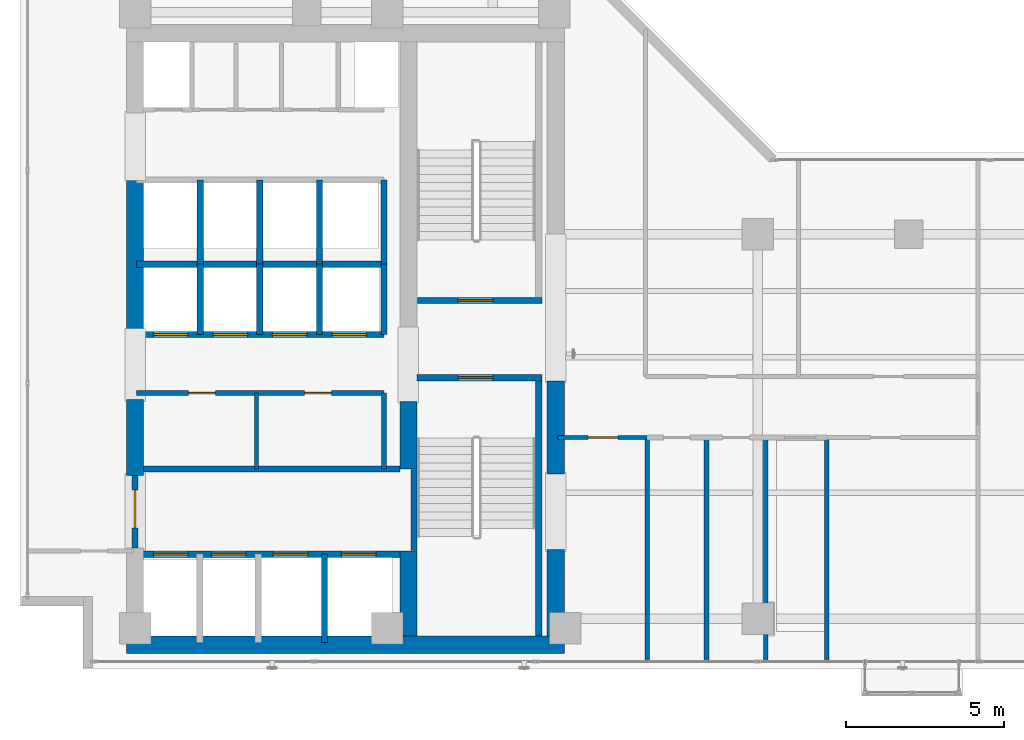
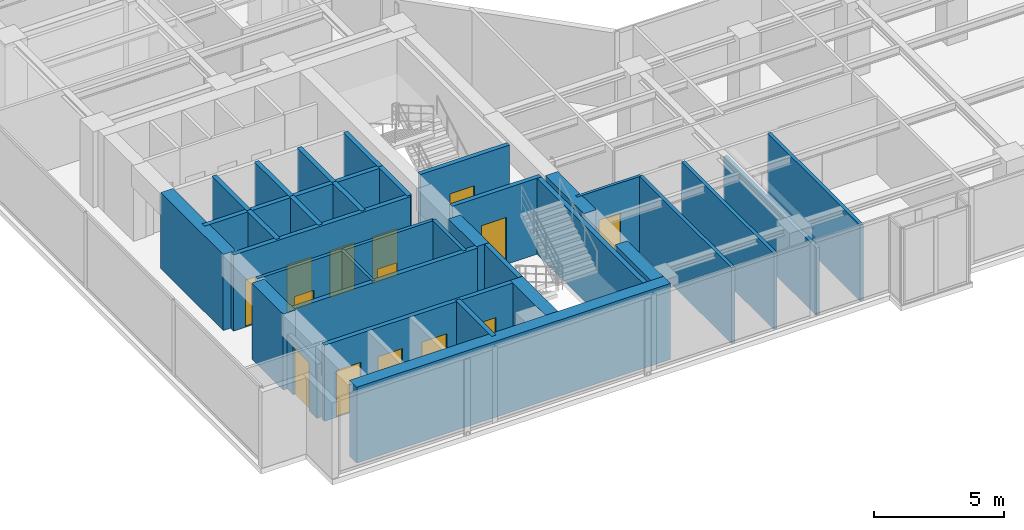
# One storey, part 17 of 25: 33 walls, 14 doors, 14 openings.
"""IFC4 building model written with IfcOpenShell, lengths in metres."""

from ifc_helpers import new_model, si_unit, direction, frame, frame_2d, origin, place, context, subcontext, project, spatial, rectangle, extrude, material, layer, layer_set, type_object, element, fill, save


model = new_model("IFC4")

# Units and contexts
model_context = context("Model", 3, precision=1e-05, world=origin(), true_north=direction((0.0, 1.0)))
body_context = subcontext(model_context, "Body", "Model", "MODEL_VIEW")
ifc_project = project(units=[si_unit("LENGTHUNIT", "METRE"), si_unit("AREAUNIT", "SQUARE_METRE"), si_unit("VOLUMEUNIT", "CUBIC_METRE"), si_unit("PLANEANGLEUNIT", "RADIAN"), si_unit("MASSUNIT", "GRAM", prefix="KILO")], contexts=[model_context])

# Site, building, storey
site_placement = place(None, origin())
site = spatial("IfcSite", under=ifc_project, at=site_placement, CompositionType="ELEMENT")
building_placement = place(site_placement, origin())
building = spatial("IfcBuilding", under=site, at=building_placement, Name="Kolvaren Waterfront Exchange", CompositionType="ELEMENT")
storey_placement = place(building_placement, frame((0.0, 0.0, 204.5)))
storey = spatial("IfcBuildingStorey", under=building, at=storey_placement, Name="L52", CompositionType="ELEMENT", Elevation=204.5)

# Wall, opening, door
ifc_material_1 = material(Name="Precast concrete C40/50", Category="concrete")
ifc_layer_1 = layer(ifc_material_1, 0.199951171875, Name="Precast concrete C40/50")
ifc_layer_set_1 = layer_set([ifc_layer_1], Name="Precast concrete C40/50")
wall_type_1 = type_object("IfcWallType", Name="ARC-FIRE-200", PredefinedType="PARTITIONING", material=ifc_layer_set_1)
wall_1_placement = place(storey_placement, frame((16.39990234375, 12.85009765625, 0.0), z_axis=(0.0, 0.0, 1.0), x_axis=(1.0, 0.0, 0.0)))
wall_1 = element("IfcWall", 1, at=wall_1_placement, inside=storey, type_object=wall_type_1, Name="L52 interior wall PW-L52-ST1-THROAT-S", PredefinedType="PARTITIONING", context=body_context, shape_type="SweptSolid", body=[
    extrude(rectangle(XDim=3.960205078125, YDim=0.199951171875, at=frame_2d((1.97998046875, 0.0))), origin(), (0.0, 0.0, 1.0), 3.56005859375),
])
opening_1_placement = place(wall_1_placement, frame((1.3037109375, 0.0, 0.0)))
opening_1 = element("IfcOpeningElement", 2, at=opening_1_placement, cuts=wall_1, Name="Opening FD2", PredefinedType="OPENING", context=body_context, shape_type="SweptSolid", body=[
    extrude(rectangle(XDim=1.10009765625, YDim=2.199951171875, at=frame_2d((0.550048828125, 1.10009765625))), frame((0.0, 0.10986328125, 0.0), z_axis=(0.0, -1.0, 0.0), x_axis=(1.0, 0.0, 0.0)), (0.0, 0.0, 1.0), 0.219970703125),
])
ifc_material_2 = material(Name="Pressed steel smoke-seal fire door", Category="steel")
door_type_1 = type_object("IfcDoorType", Name="ARC-FD-1100", OperationType="NOTDEFINED", PredefinedType="DOOR", material=ifc_material_2)
door_1_placement = place(opening_1_placement, frame((1.10009765625, 0.0, 0.0), z_axis=(0.0, 0.0, 1.0), x_axis=(-1.0, 0.0, 0.0)))
door_1 = element("IfcDoor", 3, at=door_1_placement, inside=storey, type_object=door_type_1, Name="L52 door DR-L52-ST1-IN (FD2)", OperationType="SINGLE_SWING_RIGHT", OverallHeight=2.199951171875, OverallWidth=1.10009765625, PredefinedType="DOOR", context=body_context, shape_type="SweptSolid", body=[
    extrude(rectangle(XDim=1.10009765625, YDim=2.199951171875, at=frame_2d((0.550048828125, 1.10009765625))), frame((0.0, 0.02490234375, 0.0), z_axis=(0.0, -1.0, 0.0), x_axis=(1.0, 0.0, 0.0)), (0.0, 0.0, 1.0), 0.050048828125),
])
fill(opening_1, door_1)

wall_2_placement = place(storey_placement, frame((16.409912109375, 15.300048828125, 0.0), z_axis=(0.0, 0.0, 1.0), x_axis=(1.0, 0.0, 0.0)))
wall_2 = element("IfcWall", 4, at=wall_2_placement, inside=storey, type_object=wall_type_1, Name="L52 interior wall PW-L52-ST2-THROAT-N", PredefinedType="PARTITIONING", context=body_context, shape_type="SweptSolid", body=[
    extrude(rectangle(XDim=3.9501953125, YDim=0.199951171875, at=frame_2d((1.97509765625, 0.0))), origin(), (0.0, 0.0, 1.0), 3.56005859375),
])
opening_2_placement = place(wall_2_placement, frame((1.293701171875, 0.0, 0.0)))
opening_2 = element("IfcOpeningElement", 5, at=opening_2_placement, cuts=wall_2, Name="Opening FD2", PredefinedType="OPENING", context=body_context, shape_type="SweptSolid", body=[
    extrude(rectangle(XDim=1.10009765625, YDim=2.199951171875, at=frame_2d((0.550048828125, 1.10009765625))), frame((0.0, 0.10986328125, 0.0), z_axis=(0.0, -1.0, 0.0), x_axis=(1.0, 0.0, 0.0)), (0.0, 0.0, 1.0), 0.219970703125),
])
door_2_placement = place(opening_2_placement, origin())
door_2 = element("IfcDoor", 6, at=door_2_placement, inside=storey, type_object=door_type_1, Name="L52 door DR-L52-ST2-IN (FD2)", OperationType="SINGLE_SWING_LEFT", OverallHeight=2.199951171875, OverallWidth=1.10009765625, PredefinedType="DOOR", context=body_context, shape_type="SweptSolid", body=[
    extrude(rectangle(XDim=1.10009765625, YDim=2.199951171875, at=frame_2d((0.550048828125, 1.10009765625))), frame((0.0, 0.02490234375, 0.0), z_axis=(0.0, -1.0, 0.0), x_axis=(1.0, 0.0, 0.0)), (0.0, 0.0, 1.0), 0.050048828125),
])
fill(opening_2, door_2)

# Wall
wall_3_placement = place(storey_placement, frame((7.5, 9.949951171875, 0.0), z_axis=(0.0, 0.0, 1.0), x_axis=(1.0, 0.0, 0.0)))
element("IfcWall", 7, at=wall_3_placement, inside=storey, type_object=wall_type_1, Name="L52 interior wall PW-L52-FF-N", PredefinedType="PARTITIONING", context=body_context, shape_type="SweptSolid", body=[
    extrude(rectangle(XDim=8.35009765625, YDim=0.199951171875, at=frame_2d((4.175048828125, 0.0))), origin(), (0.0, 0.0, 1.0), 3.56005859375),
])

# Wall, opening, door
wall_4_placement = place(storey_placement, frame((7.449951171875, 7.449951171875, 0.0), z_axis=(0.0, 0.0, 1.0), x_axis=(0.0, 1.0, 0.0)))
wall_4 = element("IfcWall", 8, at=wall_4_placement, inside=storey, type_object=wall_type_1, Name="L52 interior wall PW-L52-FF-W-DOOR", PredefinedType="PARTITIONING", context=body_context, shape_type="SweptSolid", body=[
    extrude(rectangle(XDim=2.300048828125, YDim=0.199951171875, at=frame_2d((1.14990234375, 0.0))), origin(), (0.0, 0.0, 1.0), 2.5400390625),
])
opening_3_placement = place(wall_4_placement, frame((0.63330078125, 0.0, 0.0)))
opening_3 = element("IfcOpeningElement", 9, at=opening_3_placement, cuts=wall_4, Name="Opening FD3", PredefinedType="OPENING", context=body_context, shape_type="SweptSolid", body=[
    extrude(rectangle(XDim=1.199951171875, YDim=2.25, at=frame_2d((0.60009765625, 1.125))), frame((0.0, 0.10986328125, 0.0), z_axis=(0.0, -1.0, 0.0), x_axis=(1.0, 0.0, 0.0)), (0.0, 0.0, 1.0), 0.219970703125),
])
ifc_material_3 = material(Name="Pressed steel fire door", Category="steel")
door_type_2 = type_object("IfcDoorType", Name="ARC-FD-1200", OperationType="NOTDEFINED", PredefinedType="DOOR", material=ifc_material_3)
door_3_placement = place(opening_3_placement, frame((1.199951171875, 0.0, 0.0), z_axis=(0.0, 0.0, 1.0), x_axis=(-1.0, 0.0, 0.0)))
door_3 = element("IfcDoor", 10, at=door_3_placement, inside=storey, type_object=door_type_2, Name="L52 door DR-L52-FF-OUT (FD3)", OperationType="SINGLE_SWING_RIGHT", OverallHeight=2.25, OverallWidth=1.199951171875, PredefinedType="DOOR", context=body_context, shape_type="SweptSolid", body=[
    extrude(rectangle(XDim=1.199951171875, YDim=2.25, at=frame_2d((0.60009765625, 1.125))), frame((0.0, 0.02490234375, 0.0), z_axis=(0.0, -1.0, 0.0), x_axis=(1.0, 0.0, 0.0)), (0.0, 0.0, 1.0), 0.050048828125),
])
fill(opening_3, door_3)

# Wall
ifc_material_4 = material(Name="Acoustic gypsum steel stud", Category="steel")
ifc_layer_2 = layer(ifc_material_4, 0.125, Name="Acoustic gypsum steel stud")
ifc_layer_set_2 = layer_set([ifc_layer_2], Name="Acoustic gypsum steel stud")
wall_type_2 = type_object("IfcWallType", Name="ARC-PART-125", PredefinedType="PARTITIONING", material=ifc_layer_set_2)
wall_5_placement = place(storey_placement, frame((11.300048828125, 9.949951171875, 0.0), z_axis=(0.0, 0.0, 1.0), x_axis=(0.0, 1.0, 0.0)))
element("IfcWall", 11, at=wall_5_placement, inside=storey, type_object=wall_type_2, Name="L52 interior wall PW-L52-REC-PL-MID", PredefinedType="PARTITIONING", context=body_context, shape_type="SweptSolid", body=[
    extrude(rectangle(XDim=2.41015625, YDim=0.125, at=frame_2d((1.205078125, 0.0))), origin(), (0.0, 0.0, 1.0), 3.56005859375),
])

# Wall, opening, door
wall_6_placement = place(storey_placement, frame((20.85009765625, 10.949951171875, 0.0), z_axis=(0.0, 0.0, 1.0), x_axis=(1.0, 0.0, 0.0)))
wall_6 = element("IfcWall", 12, at=wall_6_placement, inside=storey, type_object=wall_type_2, Name="L52 interior wall PW-L52-SWST3-N", PredefinedType="PARTITIONING", context=body_context, shape_type="SweptSolid", body=[
    extrude(rectangle(XDim=2.849853515625, YDim=0.125, at=frame_2d((1.4248046875, 0.0))), origin(), (0.0, 0.0, 1.0), 3.56005859375),
])
opening_4_placement = place(wall_6_placement, frame((0.971435546875, 0.0, 0.0)))
opening_4 = element("IfcOpeningElement", 13, at=opening_4_placement, cuts=wall_6, Name="Opening D02", PredefinedType="OPENING", context=body_context, shape_type="SweptSolid", body=[
    extrude(rectangle(XDim=0.949951171875, YDim=2.14990234375, at=frame_2d((0.47509765625, 1.074951171875))), frame((0.0, 0.072509765625, 0.0), z_axis=(0.0, -1.0, 0.0), x_axis=(1.0, 0.0, 0.0)), (0.0, 0.0, 1.0), 0.14501953125),
])
ifc_material_5 = material(Name="Oak veneer acoustic timber", Category="wood")
door_type_3 = type_object("IfcDoorType", Name="ARC-DR-950", OperationType="NOTDEFINED", PredefinedType="DOOR", material=ifc_material_5)
door_4_placement = place(opening_4_placement, origin())
door_4 = element("IfcDoor", 14, at=door_4_placement, inside=storey, type_object=door_type_3, Name="L52 door DR-L52-SWST3-D (D02)", OperationType="SINGLE_SWING_RIGHT", OverallHeight=2.14990234375, OverallWidth=0.949951171875, PredefinedType="DOOR", context=body_context, shape_type="SweptSolid", body=[
    extrude(rectangle(XDim=0.949951171875, YDim=2.14990234375, at=frame_2d((0.47509765625, 1.074951171875))), frame((0.0, 0.02490234375, 0.0), z_axis=(0.0, -1.0, 0.0), x_axis=(1.0, 0.0, 0.0)), (0.0, 0.0, 1.0), 0.050048828125),
])
fill(opening_4, door_4)

# Wall, openings, doors
ifc_material_6 = material(Name="Gypsum fireboard steel stud", Category="steel")
ifc_layer_3 = layer(ifc_material_6, 0.14990234375, Name="Gypsum fireboard steel stud")
ifc_layer_set_3 = layer_set([ifc_layer_3], Name="Gypsum fireboard steel stud")
wall_type_3 = type_object("IfcWallType", Name="ARC-PART-150", PredefinedType="PARTITIONING", material=ifc_layer_set_3)
wall_7_placement = place(storey_placement, frame((7.5, 12.360107421875, 0.0), z_axis=(0.0, 0.0, 1.0), x_axis=(1.0, 0.0, 0.0)))
wall_7 = element("IfcWall", 15, at=wall_7_placement, inside=storey, type_object=wall_type_3, Name="L52 interior wall PW-L52-REC-PL-N", PredefinedType="PARTITIONING", context=body_context, shape_type="SweptSolid", body=[
    extrude(rectangle(XDim=7.85009765625, YDim=0.14990234375, at=frame_2d((3.925048828125, 0.0))), origin(), (0.0, 0.0, 1.0), 3.56005859375),
])
opening_5_placement = place(wall_7_placement, frame((1.64990234375, 0.0, 0.0)))
opening_5 = element("IfcOpeningElement", 16, at=opening_5_placement, cuts=wall_7, Name="Opening D01", PredefinedType="OPENING", context=body_context, shape_type="SweptSolid", body=[
    extrude(rectangle(XDim=0.85009765625, YDim=2.14990234375, at=frame_2d((0.425048828125, 1.074951171875))), frame((0.0, 0.0849609375, 0.0), z_axis=(0.0, -1.0, 0.0), x_axis=(1.0, 0.0, 0.0)), (0.0, 0.0, 1.0), 0.169921875),
])
opening_6_placement = place(wall_7_placement, frame((5.329345703125, 0.0, 0.0)))
opening_6 = element("IfcOpeningElement", 17, at=opening_6_placement, cuts=wall_7, Name="Opening D01", PredefinedType="OPENING", context=body_context, shape_type="SweptSolid", body=[
    extrude(rectangle(XDim=0.85009765625, YDim=2.14990234375, at=frame_2d((0.425048828125, 1.074951171875))), frame((0.0, 0.0849609375, 0.0), z_axis=(0.0, -1.0, 0.0), x_axis=(1.0, 0.0, 0.0)), (0.0, 0.0, 1.0), 0.169921875),
])
ifc_material_7 = material(Name="Oak veneer timber leaf", Category="wood")
door_type_4 = type_object("IfcDoorType", Name="ARC-DR-900", OperationType="NOTDEFINED", PredefinedType="DOOR", material=ifc_material_7)
door_5_placement = place(opening_5_placement, origin())
door_5 = element("IfcDoor", 18, at=door_5_placement, inside=storey, type_object=door_type_4, Name="L52 door DR-L52-REC-PL-D1 (D01)", OperationType="SINGLE_SWING_LEFT", OverallHeight=2.14990234375, OverallWidth=0.85009765625, PredefinedType="DOOR", context=body_context, shape_type="SweptSolid", body=[
    extrude(rectangle(XDim=0.85009765625, YDim=2.14990234375, at=frame_2d((0.425048828125, 1.074951171875))), frame((0.0, 0.02490234375, 0.0), z_axis=(0.0, -1.0, 0.0), x_axis=(1.0, 0.0, 0.0)), (0.0, 0.0, 1.0), 0.050048828125),
])
fill(opening_5, door_5)
door_6_placement = place(opening_6_placement, origin())
door_6 = element("IfcDoor", 19, at=door_6_placement, inside=storey, type_object=door_type_4, Name="L52 door DR-L52-REC-PL-D2 (D01)", OperationType="SINGLE_SWING_RIGHT", OverallHeight=2.14990234375, OverallWidth=0.85009765625, PredefinedType="DOOR", context=body_context, shape_type="SweptSolid", body=[
    extrude(rectangle(XDim=0.85009765625, YDim=2.14990234375, at=frame_2d((0.425048828125, 1.074951171875))), frame((0.0, 0.02490234375, 0.0), z_axis=(0.0, -1.0, 0.0), x_axis=(1.0, 0.0, 0.0)), (0.0, 0.0, 1.0), 0.050048828125),
])
fill(opening_6, door_6)

# Walls
wall_8_placement = place(storey_placement, frame((15.35009765625, 9.949951171875, 0.0), z_axis=(0.0, 0.0, 1.0), x_axis=(0.0, 1.0, 0.0)))
element("IfcWall", 20, at=wall_8_placement, inside=storey, type_object=wall_type_3, Name="L52 interior wall PW-L52-REC-PL-E", PredefinedType="PARTITIONING", context=body_context, shape_type="SweptSolid", body=[
    extrude(rectangle(XDim=2.41015625, YDim=0.14990234375, at=frame_2d((1.205078125, 0.0))), origin(), (0.0, 0.0, 1.0), 3.56005859375),
])
ifc_material_8 = material(Name="Moisture-resistant gypsum stud")
ifc_layer_4 = layer(ifc_material_8, 0.14990234375, Name="Moisture-resistant gypsum stud")
ifc_layer_set_4 = layer_set([ifc_layer_4], Name="Moisture-resistant gypsum stud")
wall_type_4 = type_object("IfcWallType", Name="ARC-PLUMB-150", PredefinedType="PLUMBINGWALL", material=ifc_layer_set_4)
for number, where, z_axis, x_axis, name in (
    (21, (23.699951171875, 3.840087890625, 0.0), (0.0, 0.0, 1.0), (0.0, 1.0, 0.0), "L52 interior wall PW-L52-WC-0"),
    (22, (25.580078125, 3.840087890625, 0.0), (0.0, 0.0, 1.0), (0.0, 1.0, 0.0), "L52 interior wall PW-L52-WC-1"),
):
    element("IfcWall", number, at=place(storey_placement, frame(where, z_axis=z_axis, x_axis=x_axis)), inside=storey, type_object=wall_type_4, Name=name, PredefinedType="PLUMBINGWALL", context=body_context, shape_type="SweptSolid", body=[
        extrude(rectangle(XDim=7.10986328125, YDim=0.14990234375, at=frame_2d((3.554931640625, 0.0))), origin(), (0.0, 0.0, 1.0), 3.56005859375),
    ])
wall_9_placement = place(storey_placement, frame((27.4599609375, 3.840087890625, 0.0), z_axis=(0.0, 0.0, 1.0), x_axis=(0.0, 1.0, 0.0)))
element("IfcWall", 23, at=wall_9_placement, inside=storey, type_object=wall_type_4, Name="L52 interior wall PW-L52-WC-2", PredefinedType="PLUMBINGWALL", context=body_context, shape_type="SweptSolid", body=[
    extrude(rectangle(XDim=7.10986328125, YDim=0.14990234375, at=frame_2d((3.554931640625, 0.0))), origin(), (0.0, 0.0, 1.0), 3.159912109375),
])
wall_10_placement = place(storey_placement, frame((29.39990234375, 3.840087890625, 0.0), z_axis=(0.0, 0.0, 1.0), x_axis=(0.0, 1.0, 0.0)))
element("IfcWall", 24, at=wall_10_placement, inside=storey, type_object=wall_type_4, Name="L52 interior wall PW-L52-WC-3", PredefinedType="PLUMBINGWALL", context=body_context, shape_type="SweptSolid", body=[
    extrude(rectangle(XDim=7.10986328125, YDim=0.14990234375, at=frame_2d((3.554931640625, 0.0))), origin(), (0.0, 0.0, 1.0), 3.56005859375),
])
ifc_material_9 = material(Name="Concrete C40/50", Category="concrete")
ifc_layer_5 = layer(ifc_material_9, 0.199951171875, Name="Concrete C40/50")
ifc_layer_set_5 = layer_set([ifc_layer_5], Name="Concrete C40/50")
wall_type_5 = type_object("IfcWallType", Name="ARC-SHAFT-200", PredefinedType="PARTITIONING", material=ifc_layer_set_5)
wall_11_placement = place(storey_placement, frame((16.300048828125, 7.360107421875, 0.0), z_axis=(0.0, 0.0, 1.0), x_axis=(0.0, 1.0, 0.0)))
element("IfcWall", 25, at=wall_11_placement, inside=storey, type_object=wall_type_5, Name="L52 structural stairwell wall PW-L52-ST1-W", PredefinedType="SHEAR", context=body_context, shape_type="SweptSolid", body=[
    extrude(rectangle(XDim=2.579833984375, YDim=0.199951171875, at=frame_2d((1.2900390625, 0.0))), origin(), (0.0, 0.0, 1.0), 3.56005859375),
])
wall_12_placement = place(storey_placement, frame((20.260009765625, 4.659912109375, 0.0), z_axis=(0.0, 0.0, 1.0), x_axis=(0.0, 1.0, 0.0)))
element("IfcWall", 26, at=wall_12_placement, inside=storey, type_object=wall_type_5, Name="L52 structural stairwell wall PW-L52-ST1-E", PredefinedType="SHEAR", context=body_context, shape_type="SweptSolid", body=[
    extrude(rectangle(XDim=8.090087890625, YDim=0.199951171875, at=frame_2d((4.044921875, 0.0))), origin(), (0.0, 0.0, 1.0), 3.56005859375),
])

# Wall, openings, doors
wall_13_placement = place(storey_placement, frame((7.5, 7.25, 0.0), z_axis=(0.0, 0.0, 1.0), x_axis=(1.0, 0.0, 0.0)))
wall_13 = element("IfcWall", 27, at=wall_13_placement, inside=storey, type_object=wall_type_5, Name="L52 interior wall PW-L52-FF-S", PredefinedType="PARTITIONING", context=body_context, shape_type="SweptSolid", body=[
    extrude(rectangle(XDim=8.35009765625, YDim=0.199951171875, at=frame_2d((4.175048828125, 0.0))), origin(), (0.0, 0.0, 1.0), 3.56005859375),
])
opening_7_placement = place(wall_13_placement, frame((0.530029296875, 0.0, 0.0)))
opening_7 = element("IfcOpeningElement", 28, at=opening_7_placement, cuts=wall_13, Name="Opening LD1", PredefinedType="OPENING", context=body_context, shape_type="SweptSolid", body=[
    extrude(rectangle(XDim=1.10009765625, YDim=2.199951171875, at=frame_2d((0.550048828125, 1.10009765625))), frame((0.0, 0.10986328125, 0.0), z_axis=(0.0, -1.0, 0.0), x_axis=(1.0, 0.0, 0.0)), (0.0, 0.0, 1.0), 0.219970703125),
])
opening_8_placement = place(wall_13_placement, frame((2.3701171875, 0.0, 0.0)))
opening_8 = element("IfcOpeningElement", 29, at=opening_8_placement, cuts=wall_13, Name="Opening LD1", PredefinedType="OPENING", context=body_context, shape_type="SweptSolid", body=[
    extrude(rectangle(XDim=1.10009765625, YDim=2.199951171875, at=frame_2d((0.550048828125, 1.10009765625))), frame((0.0, 0.10986328125, 0.0), z_axis=(0.0, -1.0, 0.0), x_axis=(1.0, 0.0, 0.0)), (0.0, 0.0, 1.0), 0.219970703125),
])
opening_9_placement = place(wall_13_placement, frame((4.330078125, 0.0, 0.0)))
opening_9 = element("IfcOpeningElement", 30, at=opening_9_placement, cuts=wall_13, Name="Opening LD1", PredefinedType="OPENING", context=body_context, shape_type="SweptSolid", body=[
    extrude(rectangle(XDim=1.10009765625, YDim=2.199951171875, at=frame_2d((0.550048828125, 1.10009765625))), frame((0.0, 0.10986328125, 0.0), z_axis=(0.0, -1.0, 0.0), x_axis=(1.0, 0.0, 0.0)), (0.0, 0.0, 1.0), 0.219970703125),
])
opening_10_placement = place(wall_13_placement, frame((6.5, 0.0, 0.0)))
opening_10 = element("IfcOpeningElement", 31, at=opening_10_placement, cuts=wall_13, Name="Opening LD1", PredefinedType="OPENING", context=body_context, shape_type="SweptSolid", body=[
    extrude(rectangle(XDim=1.10009765625, YDim=2.199951171875, at=frame_2d((0.550048828125, 1.10009765625))), frame((0.0, 0.10986328125, 0.0), z_axis=(0.0, -1.0, 0.0), x_axis=(1.0, 0.0, 0.0)), (0.0, 0.0, 1.0), 0.219970703125),
])
ifc_material_10 = material(Name="Stainless steel sliding landing door", Category="steel")
door_type_5 = type_object("IfcDoorType", Name="ARC-LD-FF", OperationType="SLIDING_TO_LEFT", PredefinedType="DOOR", material=ifc_material_10)
door_7_placement = place(opening_7_placement, origin())
door_7 = element("IfcDoor", 32, at=door_7_placement, inside=storey, type_object=door_type_5, Name="L52 door LD-L52-FFL1 (LD1)", OperationType="SLIDING_TO_LEFT", OverallHeight=2.199951171875, OverallWidth=1.10009765625, PredefinedType="DOOR", context=body_context, shape_type="SweptSolid", body=[
    extrude(rectangle(XDim=1.10009765625, YDim=2.199951171875, at=frame_2d((0.550048828125, 1.10009765625))), frame((0.0, 0.02490234375, 0.0), z_axis=(0.0, -1.0, 0.0), x_axis=(1.0, 0.0, 0.0)), (0.0, 0.0, 1.0), 0.050048828125),
])
fill(opening_7, door_7)
door_8_placement = place(opening_8_placement, origin())
door_8 = element("IfcDoor", 33, at=door_8_placement, inside=storey, type_object=door_type_5, Name="L52 door LD-L52-FFL2 (LD1)", OperationType="SLIDING_TO_LEFT", OverallHeight=2.199951171875, OverallWidth=1.10009765625, PredefinedType="DOOR", context=body_context, shape_type="SweptSolid", body=[
    extrude(rectangle(XDim=1.10009765625, YDim=2.199951171875, at=frame_2d((0.550048828125, 1.10009765625))), frame((0.0, 0.02490234375, 0.0), z_axis=(0.0, -1.0, 0.0), x_axis=(1.0, 0.0, 0.0)), (0.0, 0.0, 1.0), 0.050048828125),
])
fill(opening_8, door_8)
door_9_placement = place(opening_9_placement, origin())
door_9 = element("IfcDoor", 34, at=door_9_placement, inside=storey, type_object=door_type_5, Name="L52 door LD-L52-GL1 (LD1)", OperationType="SLIDING_TO_LEFT", OverallHeight=2.199951171875, OverallWidth=1.10009765625, PredefinedType="DOOR", context=body_context, shape_type="SweptSolid", body=[
    extrude(rectangle(XDim=1.10009765625, YDim=2.199951171875, at=frame_2d((0.550048828125, 1.10009765625))), frame((0.0, 0.02490234375, 0.0), z_axis=(0.0, -1.0, 0.0), x_axis=(1.0, 0.0, 0.0)), (0.0, 0.0, 1.0), 0.050048828125),
])
fill(opening_9, door_9)
door_10_placement = place(opening_10_placement, origin())
door_10 = element("IfcDoor", 35, at=door_10_placement, inside=storey, type_object=door_type_5, Name="L52 door LD-L52-GL2 (LD1)", OperationType="SLIDING_TO_LEFT", OverallHeight=2.199951171875, OverallWidth=1.10009765625, PredefinedType="DOOR", context=body_context, shape_type="SweptSolid", body=[
    extrude(rectangle(XDim=1.10009765625, YDim=2.199951171875, at=frame_2d((0.550048828125, 1.10009765625))), frame((0.0, 0.02490234375, 0.0), z_axis=(0.0, -1.0, 0.0), x_axis=(1.0, 0.0, 0.0)), (0.0, 0.0, 1.0), 0.050048828125),
])
fill(opening_10, door_10)

# Wall
wall_14_placement = place(storey_placement, frame((13.4599609375, 4.449951171875, 0.0), z_axis=(0.0, 0.0, 1.0), x_axis=(0.0, 1.0, 0.0)))
element("IfcWall", 36, at=wall_14_placement, inside=storey, type_object=wall_type_5, Name="L52 interior wall PW-L52-SH1-DIV-134", PredefinedType="PARTITIONING", context=body_context, shape_type="SweptSolid", body=[
    extrude(rectangle(XDim=2.800048828125, YDim=0.199951171875, at=frame_2d((1.39990234375, 0.0))), origin(), (0.0, 0.0, 1.0), 3.56005859375),
])

# Wall, openings, doors
wall_15_placement = place(storey_placement, frame((7.5, 14.219970703125, 0.0), z_axis=(0.0, 0.0, 1.0), x_axis=(1.0, 0.0, 0.0)))
wall_15 = element("IfcWall", 37, at=wall_15_placement, inside=storey, type_object=wall_type_5, Name="L52 interior wall PW-L52-PM-S", PredefinedType="PARTITIONING", context=body_context, shape_type="SweptSolid", body=[
    extrude(rectangle(XDim=7.85009765625, YDim=0.199951171875, at=frame_2d((3.925048828125, 0.0))), origin(), (0.0, 0.0, 1.0), 3.56005859375),
])
opening_11_placement = place(wall_15_placement, frame((0.530029296875, 0.0, 0.0)))
opening_11 = element("IfcOpeningElement", 38, at=opening_11_placement, cuts=wall_15, Name="Opening LD2", PredefinedType="OPENING", context=body_context, shape_type="SweptSolid", body=[
    extrude(rectangle(XDim=1.10009765625, YDim=2.199951171875, at=frame_2d((0.550048828125, 1.10009765625))), frame((0.0, 0.10986328125, 0.0), z_axis=(0.0, -1.0, 0.0), x_axis=(1.0, 0.0, 0.0)), (0.0, 0.0, 1.0), 0.219970703125),
])
opening_12_placement = place(wall_15_placement, frame((2.419921875, 0.0, 0.0)))
opening_12 = element("IfcOpeningElement", 39, at=opening_12_placement, cuts=wall_15, Name="Opening LD2", PredefinedType="OPENING", context=body_context, shape_type="SweptSolid", body=[
    extrude(rectangle(XDim=1.10009765625, YDim=2.199951171875, at=frame_2d((0.550048828125, 1.10009765625))), frame((0.0, 0.10986328125, 0.0), z_axis=(0.0, -1.0, 0.0), x_axis=(1.0, 0.0, 0.0)), (0.0, 0.0, 1.0), 0.219970703125),
])
opening_13_placement = place(wall_15_placement, frame((4.31005859375, 0.0, 0.0)))
opening_13 = element("IfcOpeningElement", 40, at=opening_13_placement, cuts=wall_15, Name="Opening LD2", PredefinedType="OPENING", context=body_context, shape_type="SweptSolid", body=[
    extrude(rectangle(XDim=1.10009765625, YDim=2.199951171875, at=frame_2d((0.550048828125, 1.10009765625))), frame((0.0, 0.10986328125, 0.0), z_axis=(0.0, -1.0, 0.0), x_axis=(1.0, 0.0, 0.0)), (0.0, 0.0, 1.0), 0.219970703125),
])
opening_14_placement = place(wall_15_placement, frame((6.199951171875, 0.0, 0.0)))
opening_14 = element("IfcOpeningElement", 41, at=opening_14_placement, cuts=wall_15, Name="Opening LD2", PredefinedType="OPENING", context=body_context, shape_type="SweptSolid", body=[
    extrude(rectangle(XDim=1.10009765625, YDim=2.199951171875, at=frame_2d((0.550048828125, 1.10009765625))), frame((0.0, 0.10986328125, 0.0), z_axis=(0.0, -1.0, 0.0), x_axis=(1.0, 0.0, 0.0)), (0.0, 0.0, 1.0), 0.219970703125),
])
ifc_material_11 = material(Name="Brushed bronze sliding landing door", Category="aluminium")
door_type_6 = type_object("IfcDoorType", Name="ARC-LD-PAX", OperationType="SLIDING_TO_LEFT", PredefinedType="DOOR", material=ifc_material_11)
door_11_placement = place(opening_11_placement, frame((1.10009765625, 0.0, 0.0), z_axis=(0.0, 0.0, 1.0), x_axis=(-1.0, 0.0, 0.0)))
door_11 = element("IfcDoor", 42, at=door_11_placement, inside=storey, type_object=door_type_6, Name="L52 door LD-L52-PM1 (LD2)", OperationType="SLIDING_TO_LEFT", OverallHeight=2.199951171875, OverallWidth=1.10009765625, PredefinedType="DOOR", context=body_context, shape_type="SweptSolid", body=[
    extrude(rectangle(XDim=1.10009765625, YDim=2.199951171875, at=frame_2d((0.550048828125, 1.10009765625))), frame((0.0, 0.02490234375, 0.0), z_axis=(0.0, -1.0, 0.0), x_axis=(1.0, 0.0, 0.0)), (0.0, 0.0, 1.0), 0.050048828125),
])
fill(opening_11, door_11)
door_12_placement = place(opening_12_placement, frame((1.10009765625, 0.0, 0.0), z_axis=(0.0, 0.0, 1.0), x_axis=(-1.0, 0.0, 0.0)))
door_12 = element("IfcDoor", 43, at=door_12_placement, inside=storey, type_object=door_type_6, Name="L52 door LD-L52-PM2 (LD2)", OperationType="SLIDING_TO_LEFT", OverallHeight=2.199951171875, OverallWidth=1.10009765625, PredefinedType="DOOR", context=body_context, shape_type="SweptSolid", body=[
    extrude(rectangle(XDim=1.10009765625, YDim=2.199951171875, at=frame_2d((0.550048828125, 1.10009765625))), frame((0.0, 0.02490234375, 0.0), z_axis=(0.0, -1.0, 0.0), x_axis=(1.0, 0.0, 0.0)), (0.0, 0.0, 1.0), 0.050048828125),
])
fill(opening_12, door_12)
door_13_placement = place(opening_13_placement, frame((1.10009765625, 0.0, 0.0), z_axis=(0.0, 0.0, 1.0), x_axis=(-1.0, 0.0, 0.0)))
door_13 = element("IfcDoor", 44, at=door_13_placement, inside=storey, type_object=door_type_6, Name="L52 door LD-L52-PM3 (LD2)", OperationType="SLIDING_TO_LEFT", OverallHeight=2.199951171875, OverallWidth=1.10009765625, PredefinedType="DOOR", context=body_context, shape_type="SweptSolid", body=[
    extrude(rectangle(XDim=1.10009765625, YDim=2.199951171875, at=frame_2d((0.550048828125, 1.10009765625))), frame((0.0, 0.02490234375, 0.0), z_axis=(0.0, -1.0, 0.0), x_axis=(1.0, 0.0, 0.0)), (0.0, 0.0, 1.0), 0.050048828125),
])
fill(opening_13, door_13)
door_14_placement = place(opening_14_placement, frame((1.10009765625, 0.0, 0.0), z_axis=(0.0, 0.0, 1.0), x_axis=(-1.0, 0.0, 0.0)))
door_14 = element("IfcDoor", 45, at=door_14_placement, inside=storey, type_object=door_type_6, Name="L52 door LD-L52-PM4 (LD2)", OperationType="SLIDING_TO_LEFT", OverallHeight=2.199951171875, OverallWidth=1.10009765625, PredefinedType="DOOR", context=body_context, shape_type="SweptSolid", body=[
    extrude(rectangle(XDim=1.10009765625, YDim=2.199951171875, at=frame_2d((0.550048828125, 1.10009765625))), frame((0.0, 0.02490234375, 0.0), z_axis=(0.0, -1.0, 0.0), x_axis=(1.0, 0.0, 0.0)), (0.0, 0.0, 1.0), 0.050048828125),
])
fill(opening_14, door_14)

# Walls
wall_16_placement = place(storey_placement, frame((7.5, 16.449951171875, 0.0), z_axis=(0.0, 0.0, 1.0), x_axis=(1.0, 0.0, 0.0)))
element("IfcWall", 46, at=wall_16_placement, inside=storey, type_object=wall_type_5, Name="L52 interior wall PW-L52-PM-N", PredefinedType="PARTITIONING", context=body_context, shape_type="SweptSolid", body=[
    extrude(rectangle(XDim=7.85009765625, YDim=0.199951171875, at=frame_2d((3.925048828125, 0.0))), origin(), (0.0, 0.0, 1.0), 3.56005859375),
])
for number, where, z_axis, x_axis, name in (
    (47, (15.35009765625, 14.219970703125, 0.0), (0.0, 0.0, 1.0), (0.0, 1.0, 0.0), "L52 interior wall PW-L52-PM-E"),
    (48, (9.52001953125, 14.219970703125, 0.0), (0.0, 0.0, 1.0), (0.0, 1.0, 0.0), "L52 interior wall PW-L52-SH3-DIV-95"),
    (49, (11.409912109375, 14.219970703125, 0.0), (0.0, 0.0, 1.0), (0.0, 1.0, 0.0), "L52 interior wall PW-L52-SH3-DIV-114"),
    (50, (13.300048828125, 14.219970703125, 0.0), (0.0, 0.0, 1.0), (0.0, 1.0, 0.0), "L52 interior wall PW-L52-SH3-DIV-133"),
):
    element("IfcWall", number, at=place(storey_placement, frame(where, z_axis=z_axis, x_axis=x_axis)), inside=storey, type_object=wall_type_5, Name=name, PredefinedType="PARTITIONING", context=body_context, shape_type="SweptSolid", body=[
        extrude(rectangle(XDim=2.22998046875, YDim=0.199951171875, at=frame_2d((1.114990234375, 0.0))), origin(), (0.0, 0.0, 1.0), 3.56005859375),
    ])
for number, where, z_axis, x_axis, name in (
    (51, (15.35009765625, 16.449951171875, 0.0), (0.0, 0.0, 1.0), (0.0, 1.0, 0.0), "L52 interior wall PW-L52-PH-E"),
    (52, (9.52001953125, 16.449951171875, 0.0), (0.0, 0.0, 1.0), (0.0, 1.0, 0.0), "L52 interior wall PW-L52-SH4-DIV-95"),
    (53, (11.409912109375, 16.449951171875, 0.0), (0.0, 0.0, 1.0), (0.0, 1.0, 0.0), "L52 interior wall PW-L52-SH4-DIV-114"),
    (54, (13.300048828125, 16.449951171875, 0.0), (0.0, 0.0, 1.0), (0.0, 1.0, 0.0), "L52 interior wall PW-L52-SH4-DIV-133"),
):
    element("IfcWall", number, at=place(storey_placement, frame(where, z_axis=z_axis, x_axis=x_axis)), inside=storey, type_object=wall_type_5, Name=name, PredefinedType="PARTITIONING", context=body_context, shape_type="SweptSolid", body=[
        extrude(rectangle(XDim=2.670166015625, YDim=0.199951171875, at=frame_2d((1.3349609375, 0.0))), origin(), (0.0, 0.0, 1.0), 3.56005859375),
    ])
ifc_material_12 = material(Name="Concrete C50/60", Category="concrete")
ifc_layer_6 = layer(ifc_material_12, 0.550048828125, Name="Concrete C50/60")
ifc_layer_set_6 = layer_set([ifc_layer_6], Name="Concrete C50/60")
wall_type_6 = type_object("IfcWallType", Name="STR-CWALL-550", PredefinedType="SHEAR", material=ifc_layer_set_6)
wall_17_placement = place(storey_placement, frame((7.175048828125, 4.375, 0.0), z_axis=(0.0, 0.0, 1.0), x_axis=(1.0, 0.0, 0.0)))
element("IfcWall", 55, at=wall_17_placement, inside=storey, type_object=wall_type_6, Name="L52 rear-core shear wall S", PredefinedType="SHEAR", context=body_context, shape_type="SweptSolid", body=[
    extrude(rectangle(XDim=13.89990234375, YDim=0.550048828125, at=frame_2d((6.949951171875, 0.0))), origin(), (0.0, 0.0, 1.0), 3.56005859375),
])
wall_18_placement = place(storey_placement, frame((7.449951171875, 9.75, 0.0), z_axis=(0.0, 0.0, 1.0), x_axis=(0.0, 1.0, 0.0)))
element("IfcWall", 56, at=wall_18_placement, inside=storey, type_object=wall_type_6, Name="L52 rear-core shear wall W2A", PredefinedType="SHEAR", context=body_context, shape_type="SweptSolid", body=[
    extrude(rectangle(XDim=2.39990234375, YDim=0.550048828125, at=frame_2d((1.199951171875, 0.0))), origin(), (0.0, 0.0, 1.0), 3.56005859375),
])
wall_19_placement = place(storey_placement, frame((7.449951171875, 14.35009765625, 0.0), z_axis=(0.0, 0.0, 1.0), x_axis=(0.0, 1.0, 0.0)))
element("IfcWall", 57, at=wall_19_placement, inside=storey, type_object=wall_type_6, Name="L52 rear-core shear wall W2B", PredefinedType="SHEAR", context=body_context, shape_type="SweptSolid", body=[
    extrude(rectangle(XDim=4.809814453125, YDim=0.550048828125, at=frame_2d((2.40478515625, 0.0))), origin(), (0.0, 0.0, 1.0), 3.56005859375),
])
wall_20_placement = place(storey_placement, frame((20.800048828125, 4.64990234375, 0.0), z_axis=(0.0, 0.0, 1.0), x_axis=(0.0, 1.0, 0.0)))
element("IfcWall", 58, at=wall_20_placement, inside=storey, type_object=wall_type_6, Name="L52 rear-core shear wall E1", PredefinedType="SHEAR", context=body_context, shape_type="SweptSolid", body=[
    extrude(rectangle(XDim=2.75, YDim=0.550048828125, at=frame_2d((1.375, 0.0))), origin(), (0.0, 0.0, 1.0), 3.56005859375),
])
wall_21_placement = place(storey_placement, frame((20.800048828125, 9.800048828125, 0.0), z_axis=(0.0, 0.0, 1.0), x_axis=(0.0, 1.0, 0.0)))
element("IfcWall", 59, at=wall_21_placement, inside=storey, type_object=wall_type_6, Name="L52 rear-core shear wall E2", PredefinedType="SHEAR", context=body_context, shape_type="SweptSolid", body=[
    extrude(rectangle(XDim=2.949951171875, YDim=0.550048828125, at=frame_2d((1.47509765625, 0.0))), origin(), (0.0, 0.0, 1.0), 3.56005859375),
])
wall_22_placement = place(storey_placement, frame((16.125, 4.64990234375, 0.0), z_axis=(0.0, 0.0, 1.0), x_axis=(0.0, 1.0, 0.0)))
element("IfcWall", 60, at=wall_22_placement, inside=storey, type_object=wall_type_6, Name="L52 rear-core shear wall M1", PredefinedType="SHEAR", context=body_context, shape_type="SweptSolid", body=[
    extrude(rectangle(XDim=2.7001953125, YDim=0.550048828125, at=frame_2d((1.35009765625, 0.0))), origin(), (0.0, 0.0, 1.0), 3.56005859375),
])
wall_23_placement = place(storey_placement, frame((16.125, 9.949951171875, 0.0), z_axis=(0.0, 0.0, 1.0), x_axis=(0.0, 1.0, 0.0)))
element("IfcWall", 61, at=wall_23_placement, inside=storey, type_object=wall_type_6, Name="L52 rear-core shear wall M2", PredefinedType="SHEAR", context=body_context, shape_type="SweptSolid", body=[
    extrude(rectangle(XDim=2.150146484375, YDim=0.550048828125, at=frame_2d((1.0751953125, 0.0))), origin(), (0.0, 0.0, 1.0), 3.56005859375),
])

save(model, "model.ifc")
